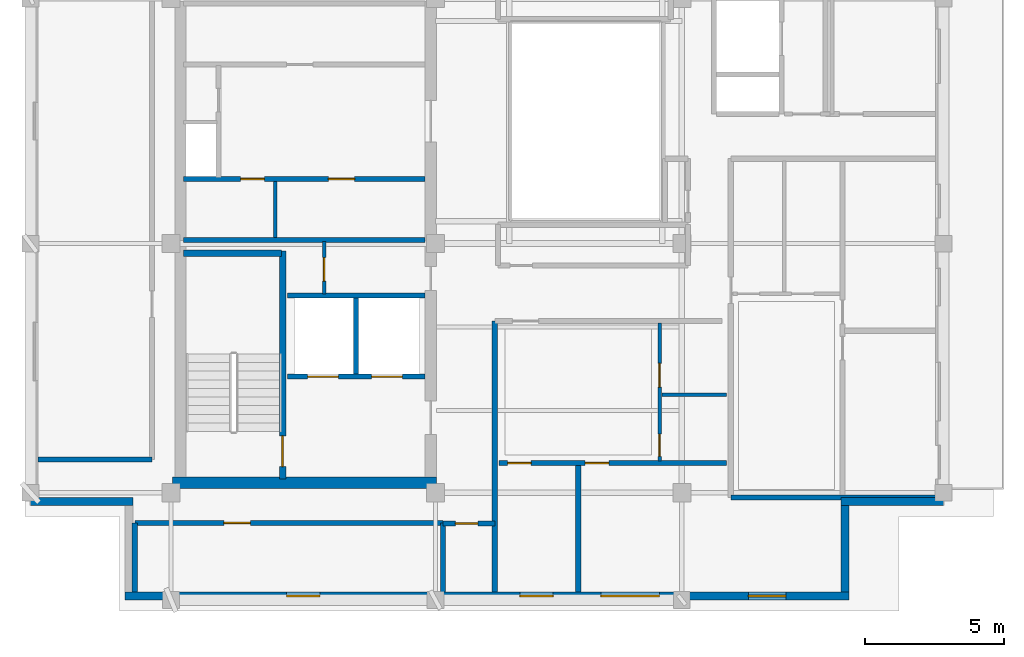
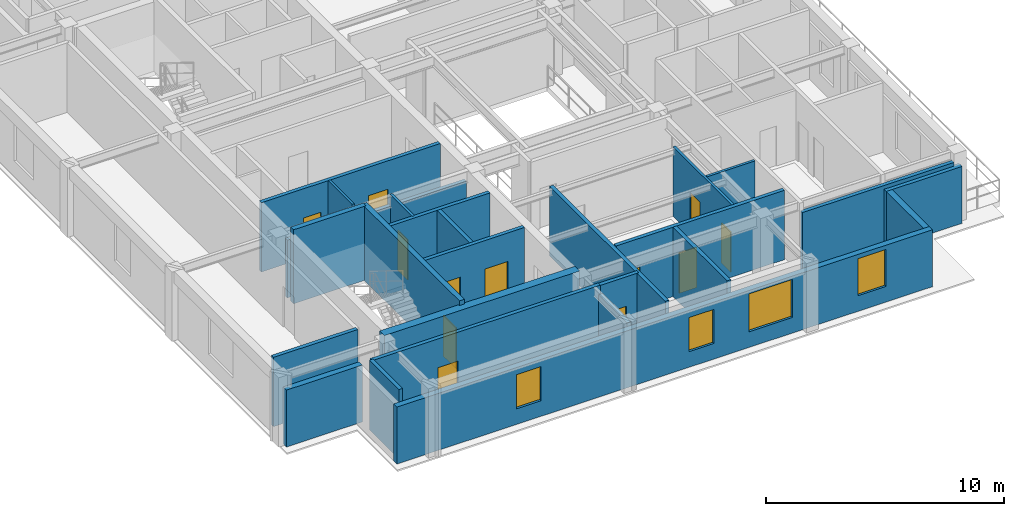
# One storey, part 2 of 9: 25 walls, 12 doors, 4 windows, 16 openings.
"""IFC4 building model written with IfcOpenShell, lengths in metres."""

from ifc_helpers import new_model, si_unit, direction, frame, frame_2d, origin, place, context, subcontext, project, spatial, rectangle, extrude, material, layer, layer_set, type_object, element, fill, save


model = new_model("IFC4")

# Units and contexts
model_context = context("Model", 3, precision=1e-05, world=origin(), true_north=direction((0.0, 1.0)))
body_context = subcontext(model_context, "Body", "Model", "MODEL_VIEW")
ifc_project = project(units=[si_unit("LENGTHUNIT", "METRE"), si_unit("AREAUNIT", "SQUARE_METRE"), si_unit("VOLUMEUNIT", "CUBIC_METRE"), si_unit("PLANEANGLEUNIT", "RADIAN"), si_unit("MASSUNIT", "GRAM", prefix="KILO")], contexts=[model_context])

# Site, building, storey
site_placement = place(None, origin())
site = spatial("IfcSite", under=ifc_project, at=site_placement, CompositionType="ELEMENT")
building_placement = place(site_placement, origin())
building = spatial("IfcBuilding", under=site, at=building_placement, Name="Kundavana Baori Tower", CompositionType="ELEMENT")
storey_placement = place(building_placement, frame((0.0, 0.0, 335.300048828125)))
storey = spatial("IfcBuildingStorey", under=building, at=storey_placement, Name="L83", CompositionType="ELEMENT", Elevation=335.300048828125)

# Wall
ifc_material_1 = material(Name="Concrete C50/60", Category="concrete")
ifc_layer_1 = layer(ifc_material_1, 0.39990234375, Name="WL-CORE-400")
ifc_layer_set_1 = layer_set([ifc_layer_1], Name="Concrete C50/60")
wall_type_1 = type_object("IfcWallType", Name="WL-CORE-400", PredefinedType="SHEAR", material=ifc_layer_set_1)
wall_1_placement = place(storey_placement, frame((15.5, 15.610107421875, 0.0), z_axis=(0.0, 0.0, 1.0), x_axis=(1.0, 0.0, 0.0)))
element("IfcWall", 1, at=wall_1_placement, inside=storey, type_object=wall_type_1, Name="L83 Offset Core South Shear Wall", PredefinedType="SHEAR", context=body_context, shape_type="SweptSolid", body=[
    extrude(rectangle(XDim=9.47998046875, YDim=0.39990234375, at=frame_2d((4.739990234375, 0.0))), origin(), (0.0, 0.0, 1.0), 3.56005859375),
])

# Wall, opening, door
wall_2_placement = place(storey_placement, frame((19.4599609375, 15.739990234375, 0.0), z_axis=(0.0, 0.0, 1.0), x_axis=(0.0, 1.0, 0.0)))
wall_2 = element("IfcWall", 2, at=wall_2_placement, inside=storey, type_object=wall_type_1, Name="WL-L83-ST1-E", PredefinedType="SHEAR", context=body_context, shape_type="SweptSolid", body=[
    extrude(rectangle(XDim=8.199951171875, YDim=0.239990234375, at=frame_2d((4.10009765625, 0.0))), origin(), (0.0, 0.0, 1.0), 3.800048828125),
])
opening_1_placement = place(wall_2_placement, frame((0.449951171875, 0.0, 0.0)))
opening_1 = element("IfcOpeningElement", 3, at=opening_1_placement, cuts=wall_2, Name="Opening FD-110", PredefinedType="OPENING", context=body_context, shape_type="SweptSolid", body=[
    extrude(rectangle(XDim=1.10009765625, YDim=2.10009765625, at=frame_2d((0.550048828125, 1.050048828125))), frame((0.0, 0.1298828125, 0.0), z_axis=(0.0, -1.0, 0.0), x_axis=(1.0, 0.0, 0.0)), (0.0, 0.0, 1.0), 0.260009765625),
])
ifc_material_2 = material(Name="Galvanised Steel Fire-Rated Door Leaf", Category="steel")
door_type_1 = type_object("IfcDoorType", Name="DR-FD120-1100", OperationType="NOTDEFINED", PredefinedType="DOOR", material=ifc_material_2)
door_1_placement = place(opening_1_placement, origin())
door_1 = element("IfcDoor", 4, at=door_1_placement, inside=storey, type_object=door_type_1, Name="DR-L83-ST1", OperationType="SINGLE_SWING_LEFT", OverallHeight=2.10009765625, OverallWidth=1.10009765625, PredefinedType="DOOR", context=body_context, shape_type="SweptSolid", body=[
    extrude(rectangle(XDim=1.10009765625, YDim=2.10009765625, at=frame_2d((0.550048828125, 1.050048828125))), frame((0.0, 0.02490234375, 0.0), z_axis=(0.0, -1.0, 0.0), x_axis=(1.0, 0.0, 0.0)), (0.0, 0.0, 1.0), 0.050048828125),
])
fill(opening_1, door_1)

# Wall
wall_3_placement = place(storey_placement, frame((15.89990234375, 23.860107421875, 0.0), z_axis=(0.0, 0.0, 1.0), x_axis=(1.0, 0.0, 0.0)))
element("IfcWall", 5, at=wall_3_placement, inside=storey, type_object=wall_type_1, Name="WL-L83-ST1-N", PredefinedType="SHEAR", context=body_context, shape_type="SweptSolid", body=[
    extrude(rectangle(XDim=3.52001953125, YDim=0.239990234375, at=frame_2d((1.760009765625, 0.0))), origin(), (0.0, 0.0, 1.0), 3.800048828125),
])

# Wall, openings, windows
ifc_material_3 = material(Name="Red-Buff Dholpur Sandstone Cladding on Concrete C40/50", Category="masonry")
ifc_layer_2 = layer(ifc_material_3, 0.280029296875, Name="WL-EXT-SAND-280")
ifc_layer_set_2 = layer_set([ifc_layer_2], Name="Red-Buff Dholpur Sandstone Cladding on Concrete C40/50")
wall_type_2 = type_object("IfcWallType", Name="WL-EXT-SAND-280", PredefinedType="STANDARD", material=ifc_layer_set_2)
wall_4_placement = place(storey_placement, frame((13.800048828125, 11.5400390625, 0.0), z_axis=(0.0, 0.0, 1.0), x_axis=(1.0, 0.0, 0.0)))
wall_4 = element("IfcWall", 6, at=wall_4_placement, inside=storey, type_object=wall_type_2, Name="L83 Exterior Insulated Facade Wall 01", PredefinedType="STANDARD", context=body_context, shape_type="SweptSolid", body=[
    extrude(rectangle(XDim=26.0, YDim=0.280029296875, at=frame_2d((13.0, 0.0))), origin(), (0.0, 0.0, 1.0), 2.919921875),
])
opening_2_placement = place(wall_4_placement, frame((5.800048828125, 0.0, 0.800048828125)))
opening_2 = element("IfcOpeningElement", 7, at=opening_2_placement, cuts=wall_4, Name="Opening W-03", PredefinedType="OPENING", context=body_context, shape_type="SweptSolid", body=[
    extrude(rectangle(XDim=1.199951171875, YDim=1.75, at=frame_2d((0.60009765625, 0.875))), frame((0.0, 0.14990234375, 0.0), z_axis=(0.0, -1.0, 0.0), x_axis=(1.0, 0.0, 0.0)), (0.0, 0.0, 1.0), 0.300048828125),
])
opening_3_placement = place(wall_4_placement, frame((14.179931640625, 0.0, 0.800048828125)))
opening_3 = element("IfcOpeningElement", 8, at=opening_3_placement, cuts=wall_4, Name="Opening W-03", PredefinedType="OPENING", context=body_context, shape_type="SweptSolid", body=[
    extrude(rectangle(XDim=1.199951171875, YDim=1.75, at=frame_2d((0.60009765625, 0.875))), frame((0.0, 0.14990234375, 0.0), z_axis=(0.0, -1.0, 0.0), x_axis=(1.0, 0.0, 0.0)), (0.0, 0.0, 1.0), 0.300048828125),
])
opening_4_placement = place(wall_4_placement, frame((17.090087890625, 0.0, 0.800048828125)))
opening_4 = element("IfcOpeningElement", 9, at=opening_4_placement, cuts=wall_4, Name="Opening W-05", PredefinedType="OPENING", context=body_context, shape_type="SweptSolid", body=[
    extrude(rectangle(XDim=2.10009765625, YDim=1.949951171875, at=frame_2d((1.050048828125, 0.97509765625))), frame((0.0, 0.14990234375, 0.0), z_axis=(0.0, -1.0, 0.0), x_axis=(1.0, 0.0, 0.0)), (0.0, 0.0, 1.0), 0.300048828125),
])
opening_5_placement = place(wall_4_placement, frame((22.389892578125, 0.0, 0.800048828125)))
opening_5 = element("IfcOpeningElement", 10, at=opening_5_placement, cuts=wall_4, Name="Opening W-07", PredefinedType="OPENING", context=body_context, shape_type="SweptSolid", body=[
    extrude(rectangle(XDim=1.35009765625, YDim=1.89990234375, at=frame_2d((0.675048828125, 0.949951171875))), frame((0.0, 0.14990234375, 0.0), z_axis=(0.0, -1.0, 0.0), x_axis=(1.0, 0.0, 0.0)), (0.0, 0.0, 1.0), 0.300048828125),
])
ifc_material_4 = material(Name="Double-Glazed Solar-Control Low-E Insulated Glass", Category="glass")
window_type_1 = type_object("IfcWindowType", Name="WIN-LOG-1200x1750", PartitioningType="SINGLE_PANEL", PredefinedType="WINDOW", material=ifc_material_4)
window_1_placement = place(opening_2_placement, origin())
window_1 = element("IfcWindow", 11, at=window_1_placement, inside=storey, type_object=window_type_1, Name="L83 Recessed Loggia Window S-1", OverallHeight=1.75, OverallWidth=1.199951171875, PartitioningType="SINGLE_PANEL", PredefinedType="WINDOW", context=body_context, shape_type="SweptSolid", body=[
    extrude(rectangle(XDim=1.199951171875, YDim=1.75, at=frame_2d((0.60009765625, 0.875))), frame((0.0, 0.030029296875, 0.0), z_axis=(0.0, -1.0, 0.0), x_axis=(1.0, 0.0, 0.0)), (0.0, 0.0, 1.0), 0.06005859375),
])
fill(opening_2, window_1)
window_2_placement = place(opening_3_placement, origin())
window_2 = element("IfcWindow", 12, at=window_2_placement, inside=storey, type_object=window_type_1, Name="L83 Recessed Loggia Window S-2", OverallHeight=1.75, OverallWidth=1.199951171875, PartitioningType="SINGLE_PANEL", PredefinedType="WINDOW", context=body_context, shape_type="SweptSolid", body=[
    extrude(rectangle(XDim=1.199951171875, YDim=1.75, at=frame_2d((0.60009765625, 0.875))), frame((0.0, 0.030029296875, 0.0), z_axis=(0.0, -1.0, 0.0), x_axis=(1.0, 0.0, 0.0)), (0.0, 0.0, 1.0), 0.06005859375),
])
fill(opening_3, window_2)
ifc_material_5 = material(Name="Double-Glazed Solar-Control Low-E Insulated Glass", Category="glass")
window_type_2 = type_object("IfcWindowType", Name="WIN-LOG-1350x1900", PartitioningType="SINGLE_PANEL", PredefinedType="WINDOW", material=ifc_material_5)
window_3_placement = place(opening_5_placement, origin())
window_3 = element("IfcWindow", 13, at=window_3_placement, inside=storey, type_object=window_type_2, Name="L83 Recessed Loggia Window S-4", OverallHeight=1.89990234375, OverallWidth=1.35009765625, PartitioningType="SINGLE_PANEL", PredefinedType="WINDOW", context=body_context, shape_type="SweptSolid", body=[
    extrude(rectangle(XDim=1.35009765625, YDim=1.89990234375, at=frame_2d((0.675048828125, 0.949951171875))), frame((0.0, 0.030029296875, 0.0), z_axis=(0.0, -1.0, 0.0), x_axis=(1.0, 0.0, 0.0)), (0.0, 0.0, 1.0), 0.06005859375),
])
fill(opening_5, window_3)
ifc_material_6 = material(Name="Double-Glazed Solar-Control Low-E Insulated Glass", Category="glass")
window_type_3 = type_object("IfcWindowType", Name="WIN-LOG-2100x1950", PartitioningType="SINGLE_PANEL", PredefinedType="WINDOW", material=ifc_material_6)
window_4_placement = place(opening_4_placement, origin())
window_4 = element("IfcWindow", 14, at=window_4_placement, inside=storey, type_object=window_type_3, Name="L83 Recessed Loggia Window S-3", OverallHeight=1.949951171875, OverallWidth=2.10009765625, PartitioningType="SINGLE_PANEL", PredefinedType="WINDOW", context=body_context, shape_type="SweptSolid", body=[
    extrude(rectangle(XDim=2.10009765625, YDim=1.949951171875, at=frame_2d((1.050048828125, 0.97509765625))), frame((0.0, 0.030029296875, 0.0), z_axis=(0.0, -1.0, 0.0), x_axis=(1.0, 0.0, 0.0)), (0.0, 0.0, 1.0), 0.06005859375),
])
fill(opening_4, window_4)

# Walls
wall_5_placement = place(storey_placement, frame((39.659912109375, 11.679931640625, 0.0), z_axis=(0.0, 0.0, 1.0), x_axis=(0.0, 1.0, 0.0)))
element("IfcWall", 15, at=wall_5_placement, inside=storey, type_object=wall_type_2, Name="L83 Exterior Insulated Facade Wall 02", PredefinedType="STANDARD", context=body_context, shape_type="SweptSolid", body=[
    extrude(rectangle(XDim=3.1201171875, YDim=0.280029296875, at=frame_2d((1.56005859375, 0.0))), origin(), (0.0, 0.0, 1.0), 2.919921875),
])
wall_6_placement = place(storey_placement, frame((39.52001953125, 14.93994140625, 0.0), z_axis=(0.0, 0.0, 1.0), x_axis=(1.0, 0.0, 0.0)))
element("IfcWall", 16, at=wall_6_placement, inside=storey, type_object=wall_type_2, Name="L83 Exterior Insulated Facade Wall 03", PredefinedType="STANDARD", context=body_context, shape_type="SweptSolid", body=[
    extrude(rectangle(XDim=3.679931640625, YDim=0.280029296875, at=frame_2d((1.83984375, 0.0))), origin(), (0.0, 0.0, 1.0), 2.919921875),
])
wall_7_placement = place(storey_placement, frame((10.39990234375, 14.93994140625, 0.0), z_axis=(0.0, 0.0, 1.0), x_axis=(1.0, 0.0, 0.0)))
element("IfcWall", 17, at=wall_7_placement, inside=storey, type_object=wall_type_2, Name="L83 Exterior Insulated Facade Wall 11", PredefinedType="STANDARD", context=body_context, shape_type="SweptSolid", body=[
    extrude(rectangle(XDim=3.68017578125, YDim=0.280029296875, at=frame_2d((1.840087890625, 0.0))), origin(), (0.0, 0.0, 1.0), 2.919921875),
])

# Wall, opening, door
ifc_material_7 = material(Name="Acoustic Gypsum Plasterboard on Galvanised Steel Studs", Category="steel")
ifc_layer_3 = layer(ifc_material_7, 0.1201171875, Name="WL-PART-120")
ifc_layer_set_3 = layer_set([ifc_layer_3], Name="Acoustic Gypsum Plasterboard on Galvanised Steel Studs")
wall_type_3 = type_object("IfcWallType", Name="WL-PART-120", PredefinedType="PARTITIONING", material=ifc_layer_set_3)
wall_8_placement = place(storey_placement, frame((20.949951171875, 22.39990234375, 0.0), z_axis=(0.0, 0.0, 1.0), x_axis=(0.0, 1.0, 0.0)))
wall_8 = element("IfcWall", 18, at=wall_8_placement, inside=storey, type_object=wall_type_3, Name="WL-L83-CSMK-D2", PredefinedType="PARTITIONING", context=body_context, shape_type="SweptSolid", body=[
    extrude(rectangle(XDim=1.880126953125, YDim=0.1201171875, at=frame_2d((0.93994140625, 0.0))), origin(), (0.0, 0.0, 1.0), 3.56005859375),
])
opening_6_placement = place(wall_8_placement, frame((0.449951171875, 0.0, 0.0)))
opening_6 = element("IfcOpeningElement", 19, at=opening_6_placement, cuts=wall_8, Name="Opening FD-085", PredefinedType="OPENING", context=body_context, shape_type="SweptSolid", body=[
    extrude(rectangle(XDim=0.85009765625, YDim=2.06005859375, at=frame_2d((0.425048828125, 1.030029296875))), frame((0.0, 0.070068359375, 0.0), z_axis=(0.0, -1.0, 0.0), x_axis=(1.0, 0.0, 0.0)), (0.0, 0.0, 1.0), 0.14013671875),
])
ifc_material_8 = material(Name="Galvanised Steel Fire-Rated Door Leaf", Category="steel")
door_type_2 = type_object("IfcDoorType", Name="DR-FD60-850", OperationType="NOTDEFINED", PredefinedType="DOOR", material=ifc_material_8)
door_2_placement = place(opening_6_placement, origin())
door_2 = element("IfcDoor", 20, at=door_2_placement, inside=storey, type_object=door_type_2, Name="DR-L83-CSMK1", OperationType="SINGLE_SWING_RIGHT", OverallHeight=2.06005859375, OverallWidth=0.85009765625, PredefinedType="DOOR", context=body_context, shape_type="SweptSolid", body=[
    extrude(rectangle(XDim=0.85009765625, YDim=2.06005859375, at=frame_2d((0.425048828125, 1.030029296875))), frame((0.0, 0.02490234375, 0.0), z_axis=(0.0, -1.0, 0.0), x_axis=(1.0, 0.0, 0.0)), (0.0, 0.0, 1.0), 0.050048828125),
])
fill(opening_6, door_2)

# Walls
wall_9_placement = place(storey_placement, frame((19.199951171875, 24.419921875, 0.0), z_axis=(0.0, 0.0, 1.0), x_axis=(0.0, 1.0, 0.0)))
element("IfcWall", 21, at=wall_9_placement, inside=storey, type_object=wall_type_3, Name="WL-L83-FRLOW-DIV", PredefinedType="PARTITIONING", context=body_context, shape_type="SweptSolid", body=[
    extrude(rectangle(XDim=2.02001953125, YDim=0.1201171875, at=frame_2d((1.010009765625, 0.0))), origin(), (0.0, 0.0, 1.0), 3.56005859375),
])
ifc_material_9 = material(Name="Autoclaved Aerated Concrete Blockwork Masonry", Category="masonry")
ifc_layer_4 = layer(ifc_material_9, 0.18505859375, Name="WL-PART-180")
ifc_layer_set_4 = layer_set([ifc_layer_4], Name="Autoclaved Aerated Concrete Blockwork Masonry")
wall_type_4 = type_object("IfcWallType", Name="WL-PART-180", PredefinedType="SOLIDWALL", material=ifc_layer_set_4)
wall_10_placement = place(storey_placement, frame((27.080078125, 11.679931640625, 0.0), z_axis=(0.0, 0.0, 1.0), x_axis=(0.0, 1.0, 0.0)))
element("IfcWall", 22, at=wall_10_placement, inside=storey, type_object=wall_type_4, Name="WL-L83-RSW", PredefinedType="SOLIDWALL", context=body_context, shape_type="SweptSolid", body=[
    extrude(rectangle(XDim=9.739990234375, YDim=0.18505859375, at=frame_2d((4.8701171875, 0.0))), origin(), (0.0, 0.0, 1.0), 3.56005859375),
])

# Wall, opening, door
wall_11_placement = place(storey_placement, frame((14.14990234375, 14.169921875, 0.0), z_axis=(0.0, 0.0, 1.0), x_axis=(1.0, 0.0, 0.0)))
wall_11 = element("IfcWall", 23, at=wall_11_placement, inside=storey, type_object=wall_type_4, Name="WL-L83-RSC", PredefinedType="SOLIDWALL", context=body_context, shape_type="SweptSolid", body=[
    extrude(rectangle(XDim=11.070068359375, YDim=0.18505859375, at=frame_2d((5.53515625, 0.0))), origin(), (0.0, 0.0, 1.0), 3.56005859375),
])
opening_7_placement = place(wall_11_placement, frame((3.199951171875, 0.0, 0.0)))
opening_7 = element("IfcOpeningElement", 24, at=opening_7_placement, cuts=wall_11, Name="Opening ID-095", PredefinedType="OPENING", context=body_context, shape_type="SweptSolid", body=[
    extrude(rectangle(XDim=0.949951171875, YDim=2.080078125, at=frame_2d((0.47509765625, 1.0400390625))), frame((0.0, 0.1025390625, 0.0), z_axis=(0.0, -1.0, 0.0), x_axis=(1.0, 0.0, 0.0)), (0.0, 0.0, 1.0), 0.205078125),
])
ifc_material_10 = material(Name="Engineered Teak Solid-Core Timber Veneer", Category="wood")
door_type_3 = type_object("IfcDoorType", Name="DR-INT-950", OperationType="NOTDEFINED", PredefinedType="DOOR", material=ifc_material_10)
door_3_placement = place(opening_7_placement, frame((0.949951171875, 0.0, 0.0), z_axis=(0.0, 0.0, 1.0), x_axis=(-1.0, 0.0, 0.0)))
door_3 = element("IfcDoor", 25, at=door_3_placement, inside=storey, type_object=door_type_3, Name="DR-L83-RMSW", OperationType="SINGLE_SWING_LEFT", OverallHeight=2.080078125, OverallWidth=0.949951171875, PredefinedType="DOOR", context=body_context, shape_type="SweptSolid", body=[
    extrude(rectangle(XDim=0.949951171875, YDim=2.080078125, at=frame_2d((0.47509765625, 1.0400390625))), frame((0.0, 0.02490234375, 0.0), z_axis=(0.0, -1.0, 0.0), x_axis=(1.0, 0.0, 0.0)), (0.0, 0.0, 1.0), 0.050048828125),
])
fill(opening_7, door_3)

# Walls
wall_12_placement = place(storey_placement, frame((14.14990234375, 11.679931640625, 0.0), z_axis=(0.0, 0.0, 1.0), x_axis=(0.0, 1.0, 0.0)))
element("IfcWall", 26, at=wall_12_placement, inside=storey, type_object=wall_type_4, Name="WL-L83-RSCW", PredefinedType="SOLIDWALL", context=body_context, shape_type="SweptSolid", body=[
    extrude(rectangle(XDim=2.489990234375, YDim=0.18505859375, at=frame_2d((1.2451171875, 0.0))), origin(), (0.0, 0.0, 1.0), 3.56005859375),
])
wall_13_placement = place(storey_placement, frame((25.219970703125, 11.679931640625, 0.0), z_axis=(0.0, 0.0, 1.0), x_axis=(0.0, 1.0, 0.0)))
element("IfcWall", 27, at=wall_13_placement, inside=storey, type_object=wall_type_4, Name="WL-L83-RSCE", PredefinedType="SOLIDWALL", context=body_context, shape_type="SweptSolid", body=[
    extrude(rectangle(XDim=2.489990234375, YDim=0.18505859375, at=frame_2d((1.2451171875, 0.0))), origin(), (0.0, 0.0, 1.0), 3.10986328125),
])
wall_14_placement = place(storey_placement, frame((10.679931640625, 16.449951171875, 0.0), z_axis=(0.0, 0.0, 1.0), x_axis=(1.0, 0.0, 0.0)))
element("IfcWall", 28, at=wall_14_placement, inside=storey, type_object=wall_type_4, Name="WL-L83-RWS", PredefinedType="SOLIDWALL", context=body_context, shape_type="SweptSolid", body=[
    extrude(rectangle(XDim=4.090087890625, YDim=0.18505859375, at=frame_2d((2.044921875, 0.0))), origin(), (0.0, 0.0, 1.0), 3.56005859375),
])

# Wall, openings, doors
wall_15_placement = place(storey_placement, frame((27.239990234375, 16.31689453125, 0.0), z_axis=(0.0, 0.0, 1.0), x_axis=(1.0, 0.0, 0.0)))
wall_15 = element("IfcWall", 29, at=wall_15_placement, inside=storey, type_object=wall_type_4, Name="WL-L83-S1-HZ", PredefinedType="SOLIDWALL", context=body_context, shape_type="SweptSolid", body=[
    extrude(rectangle(XDim=8.159912109375, YDim=0.18505859375, at=frame_2d((4.080078125, 0.0))), origin(), (0.0, 0.0, 1.0), 3.56005859375),
])
opening_8_placement = place(wall_15_placement, frame((0.300048828125, 0.0, 0.0)))
opening_8 = element("IfcOpeningElement", 30, at=opening_8_placement, cuts=wall_15, Name="Opening ID-085", PredefinedType="OPENING", context=body_context, shape_type="SweptSolid", body=[
    extrude(rectangle(XDim=0.85009765625, YDim=2.080078125, at=frame_2d((0.425048828125, 1.0400390625))), frame((0.0, 0.1025390625, 0.0), z_axis=(0.0, -1.0, 0.0), x_axis=(1.0, 0.0, 0.0)), (0.0, 0.0, 1.0), 0.205078125),
])
opening_9_placement = place(wall_15_placement, frame((3.090087890625, 0.0, 0.0)))
opening_9 = element("IfcOpeningElement", 31, at=opening_9_placement, cuts=wall_15, Name="Opening ID-085", PredefinedType="OPENING", context=body_context, shape_type="SweptSolid", body=[
    extrude(rectangle(XDim=0.85009765625, YDim=2.080078125, at=frame_2d((0.425048828125, 1.0400390625))), frame((0.0, 0.1025390625, 0.0), z_axis=(0.0, -1.0, 0.0), x_axis=(1.0, 0.0, 0.0)), (0.0, 0.0, 1.0), 0.205078125),
])
ifc_material_11 = material(Name="Engineered Teak Solid-Core Timber Veneer", Category="wood")
door_type_4 = type_object("IfcDoorType", Name="DR-INT-850", OperationType="NOTDEFINED", PredefinedType="DOOR", material=ifc_material_11)
door_4_placement = place(opening_8_placement, frame((0.85009765625, 0.0, 0.0), z_axis=(0.0, 0.0, 1.0), x_axis=(-1.0, 0.0, 0.0)))
door_4 = element("IfcDoor", 32, at=door_4_placement, inside=storey, type_object=door_type_4, Name="DR-L83-S1-B1", OperationType="SINGLE_SWING_LEFT", OverallHeight=2.080078125, OverallWidth=0.85009765625, PredefinedType="DOOR", context=body_context, shape_type="SweptSolid", body=[
    extrude(rectangle(XDim=0.85009765625, YDim=2.080078125, at=frame_2d((0.425048828125, 1.0400390625))), frame((0.0, 0.02490234375, 0.0), z_axis=(0.0, -1.0, 0.0), x_axis=(1.0, 0.0, 0.0)), (0.0, 0.0, 1.0), 0.050048828125),
])
fill(opening_8, door_4)
door_5_placement = place(opening_9_placement, frame((0.85009765625, 0.0, 0.0), z_axis=(0.0, 0.0, 1.0), x_axis=(-1.0, 0.0, 0.0)))
door_5 = element("IfcDoor", 33, at=door_5_placement, inside=storey, type_object=door_type_4, Name="DR-L83-S1-B2", OperationType="SINGLE_SWING_RIGHT", OverallHeight=2.080078125, OverallWidth=0.85009765625, PredefinedType="DOOR", context=body_context, shape_type="SweptSolid", body=[
    extrude(rectangle(XDim=0.85009765625, YDim=2.080078125, at=frame_2d((0.425048828125, 1.0400390625))), frame((0.0, 0.02490234375, 0.0), z_axis=(0.0, -1.0, 0.0), x_axis=(1.0, 0.0, 0.0)), (0.0, 0.0, 1.0), 0.050048828125),
])
fill(opening_9, door_5)

# Walls
wall_16_placement = place(storey_placement, frame((30.080078125, 11.679931640625, 0.0), z_axis=(0.0, 0.0, 1.0), x_axis=(0.0, 1.0, 0.0)))
element("IfcWall", 34, at=wall_16_placement, inside=storey, type_object=wall_type_4, Name="WL-L83-S1-BDV", PredefinedType="SOLIDWALL", context=body_context, shape_type="SweptSolid", body=[
    extrude(rectangle(XDim=4.55712890625, YDim=0.18505859375, at=frame_2d((2.278564453125, 0.0))), origin(), (0.0, 0.0, 1.0), 3.56005859375),
])
wall_17_placement = place(storey_placement, frame((35.56005859375, 15.080078125, 0.0), z_axis=(0.0, 0.0, 1.0), x_axis=(1.0, 0.0, 0.0)))
element("IfcWall", 35, at=wall_17_placement, inside=storey, type_object=wall_type_4, Name="WL-L83-CSES", PredefinedType="SOLIDWALL", context=body_context, shape_type="SweptSolid", body=[
    extrude(rectangle(XDim=7.35986328125, YDim=0.18505859375, at=frame_2d((3.679931640625, 0.0))), origin(), (0.0, 0.0, 1.0), 3.10986328125),
])

# Wall, opening, door
wall_18_placement = place(storey_placement, frame((25.219970703125, 14.14990234375, 0.0), z_axis=(0.0, 0.0, 1.0), x_axis=(1.0, 0.0, 0.0)))
wall_18 = element("IfcWall", 36, at=wall_18_placement, inside=storey, type_object=wall_type_4, Name="WL-L83-CSCN", PredefinedType="SOLIDWALL", context=body_context, shape_type="SweptSolid", body=[
    extrude(rectangle(XDim=1.860107421875, YDim=0.18505859375, at=frame_2d((0.93017578125, 0.0))), origin(), (0.0, 0.0, 1.0), 3.56005859375),
])
opening_10_placement = place(wall_18_placement, frame((0.449951171875, 0.0, 0.0)))
opening_10 = element("IfcOpeningElement", 37, at=opening_10_placement, cuts=wall_18, Name="Opening WD-080", PredefinedType="OPENING", context=body_context, shape_type="SweptSolid", body=[
    extrude(rectangle(XDim=0.800048828125, YDim=2.050048828125, at=frame_2d((0.39990234375, 1.02490234375))), frame((0.0, 0.1025390625, 0.0), z_axis=(0.0, -1.0, 0.0), x_axis=(1.0, 0.0, 0.0)), (0.0, 0.0, 1.0), 0.205078125),
])
ifc_material_12 = material(Name="Engineered Teak Solid-Core Timber Veneer", Category="wood")
door_type_5 = type_object("IfcDoorType", Name="DR-WET-800", OperationType="NOTDEFINED", PredefinedType="DOOR", material=ifc_material_12)
door_6_placement = place(opening_10_placement, origin())
door_6 = element("IfcDoor", 38, at=door_6_placement, inside=storey, type_object=door_type_5, Name="DR-L83-CSCS", OperationType="SINGLE_SWING_LEFT", OverallHeight=2.050048828125, OverallWidth=0.800048828125, PredefinedType="DOOR", context=body_context, shape_type="SweptSolid", body=[
    extrude(rectangle(XDim=0.800048828125, YDim=2.050048828125, at=frame_2d((0.39990234375, 1.02490234375))), frame((0.0, 0.02490234375, 0.0), z_axis=(0.0, -1.0, 0.0), x_axis=(1.0, 0.0, 0.0)), (0.0, 0.0, 1.0), 0.050048828125),
])
fill(opening_10, door_6)

# Wall, openings, doors
ifc_material_13 = material(Name="Autoclaved Aerated Concrete Blockwork Masonry", Category="masonry")
ifc_layer_5 = layer(ifc_material_13, 0.179931640625, Name="WL-SHAFT-180")
ifc_layer_set_5 = layer_set([ifc_layer_5], Name="Autoclaved Aerated Concrete Blockwork Masonry")
wall_type_5 = type_object("IfcWallType", Name="WL-SHAFT-180", PredefinedType="SOLIDWALL", material=ifc_layer_set_5)
wall_19_placement = place(storey_placement, frame((19.639892578125, 19.419921875, 0.0), z_axis=(0.0, 0.0, 1.0), x_axis=(1.0, 0.0, 0.0)))
wall_19 = element("IfcWall", 39, at=wall_19_placement, inside=storey, type_object=wall_type_5, Name="WL-L83-FFL-S", PredefinedType="SOLIDWALL", context=body_context, shape_type="SweptSolid", body=[
    extrude(rectangle(XDim=4.940185546875, YDim=0.179931640625, at=frame_2d((2.47021484375, 0.0))), origin(), (0.0, 0.0, 1.0), 3.56005859375),
])
opening_11_placement = place(wall_19_placement, frame((0.719970703125, 0.0, 0.0)))
opening_11 = element("IfcOpeningElement", 40, at=opening_11_placement, cuts=wall_19, Name="Opening LD-110", PredefinedType="OPENING", context=body_context, shape_type="SweptSolid", body=[
    extrude(rectangle(XDim=1.10009765625, YDim=2.10009765625, at=frame_2d((0.550048828125, 1.050048828125))), frame((0.0, 0.10009765625, 0.0), z_axis=(0.0, -1.0, 0.0), x_axis=(1.0, 0.0, 0.0)), (0.0, 0.0, 1.0), 0.199951171875),
])
opening_12_placement = place(wall_19_placement, frame((3.02001953125, 0.0, 0.0)))
opening_12 = element("IfcOpeningElement", 41, at=opening_12_placement, cuts=wall_19, Name="Opening LD-110", PredefinedType="OPENING", context=body_context, shape_type="SweptSolid", body=[
    extrude(rectangle(XDim=1.10009765625, YDim=2.10009765625, at=frame_2d((0.550048828125, 1.050048828125))), frame((0.0, 0.10009765625, 0.0), z_axis=(0.0, -1.0, 0.0), x_axis=(1.0, 0.0, 0.0)), (0.0, 0.0, 1.0), 0.199951171875),
])
ifc_material_14 = material(Name="Galvanised Steel Fire-Rated Door Leaf", Category="steel")
door_type_6 = type_object("IfcDoorType", Name="DR-SLIDE-LD1100", OperationType="NOTDEFINED", PredefinedType="DOOR", material=ifc_material_14)
door_7_placement = place(opening_11_placement, origin())
door_7 = element("IfcDoor", 42, at=door_7_placement, inside=storey, type_object=door_type_6, Name="DR-L83-LD-FFL-1", OperationType="DOUBLE_DOOR_SLIDING", OverallHeight=2.10009765625, OverallWidth=1.10009765625, PredefinedType="DOOR", context=body_context, shape_type="SweptSolid", body=[
    extrude(rectangle(XDim=1.10009765625, YDim=2.10009765625, at=frame_2d((0.550048828125, 1.050048828125))), frame((0.0, 0.02490234375, 0.0), z_axis=(0.0, -1.0, 0.0), x_axis=(1.0, 0.0, 0.0)), (0.0, 0.0, 1.0), 0.050048828125),
])
fill(opening_11, door_7)
door_8_placement = place(opening_12_placement, origin())
door_8 = element("IfcDoor", 43, at=door_8_placement, inside=storey, type_object=door_type_6, Name="DR-L83-LD-FFL-2", OperationType="DOUBLE_DOOR_SLIDING", OverallHeight=2.10009765625, OverallWidth=1.10009765625, PredefinedType="DOOR", context=body_context, shape_type="SweptSolid", body=[
    extrude(rectangle(XDim=1.10009765625, YDim=2.10009765625, at=frame_2d((0.550048828125, 1.050048828125))), frame((0.0, 0.02490234375, 0.0), z_axis=(0.0, -1.0, 0.0), x_axis=(1.0, 0.0, 0.0)), (0.0, 0.0, 1.0), 0.050048828125),
])
fill(opening_12, door_8)

# Walls
wall_20_placement = place(storey_placement, frame((22.10009765625, 19.510009765625, 0.0), z_axis=(0.0, 0.0, 1.0), x_axis=(0.0, 1.0, 0.0)))
element("IfcWall", 44, at=wall_20_placement, inside=storey, type_object=wall_type_5, Name="WL-L83-FFL-MID", PredefinedType="SOLIDWALL", context=body_context, shape_type="SweptSolid", body=[
    extrude(rectangle(XDim=2.739990234375, YDim=0.179931640625, at=frame_2d((1.3701171875, 0.0))), origin(), (0.0, 0.0, 1.0), 3.56005859375),
])
wall_21_placement = place(storey_placement, frame((19.639892578125, 22.340087890625, 0.0), z_axis=(0.0, 0.0, 1.0), x_axis=(1.0, 0.0, 0.0)))
element("IfcWall", 45, at=wall_21_placement, inside=storey, type_object=wall_type_5, Name="WL-L83-FFL-N", PredefinedType="SOLIDWALL", context=body_context, shape_type="SweptSolid", body=[
    extrude(rectangle(XDim=4.940185546875, YDim=0.179931640625, at=frame_2d((2.47021484375, 0.0))), origin(), (0.0, 0.0, 1.0), 3.56005859375),
])

# Wall, openings, doors
wall_22_placement = place(storey_placement, frame((15.89990234375, 26.52001953125, 0.0), z_axis=(0.0, 0.0, 1.0), x_axis=(1.0, 0.0, 0.0)))
wall_22 = element("IfcWall", 46, at=wall_22_placement, inside=storey, type_object=wall_type_5, Name="WL-L83-LPLOW-N", PredefinedType="SOLIDWALL", context=body_context, shape_type="SweptSolid", body=[
    extrude(rectangle(XDim=8.68017578125, YDim=0.179931640625, at=frame_2d((4.340087890625, 0.0))), origin(), (0.0, 0.0, 1.0), 3.56005859375),
])
opening_13_placement = place(wall_22_placement, frame((2.050048828125, 0.0, 0.0)))
opening_13 = element("IfcOpeningElement", 47, at=opening_13_placement, cuts=wall_22, Name="Opening FD-085", PredefinedType="OPENING", context=body_context, shape_type="SweptSolid", body=[
    extrude(rectangle(XDim=0.85009765625, YDim=2.06005859375, at=frame_2d((0.425048828125, 1.030029296875))), frame((0.0, 0.10009765625, 0.0), z_axis=(0.0, -1.0, 0.0), x_axis=(1.0, 0.0, 0.0)), (0.0, 0.0, 1.0), 0.199951171875),
])
opening_14_placement = place(wall_22_placement, frame((5.199951171875, 0.0, 0.0)))
opening_14 = element("IfcOpeningElement", 48, at=opening_14_placement, cuts=wall_22, Name="Opening FD-095", PredefinedType="OPENING", context=body_context, shape_type="SweptSolid", body=[
    extrude(rectangle(XDim=0.949951171875, YDim=2.10009765625, at=frame_2d((0.47509765625, 1.050048828125))), frame((0.0, 0.10009765625, 0.0), z_axis=(0.0, -1.0, 0.0), x_axis=(1.0, 0.0, 0.0)), (0.0, 0.0, 1.0), 0.199951171875),
])
door_9_placement = place(opening_13_placement, origin())
door_9 = element("IfcDoor", 49, at=door_9_placement, inside=storey, type_object=door_type_2, Name="DR-L83-FRLOW1", OperationType="SINGLE_SWING_LEFT", OverallHeight=2.06005859375, OverallWidth=0.85009765625, PredefinedType="DOOR", context=body_context, shape_type="SweptSolid", body=[
    extrude(rectangle(XDim=0.85009765625, YDim=2.06005859375, at=frame_2d((0.425048828125, 1.030029296875))), frame((0.0, 0.02490234375, 0.0), z_axis=(0.0, -1.0, 0.0), x_axis=(1.0, 0.0, 0.0)), (0.0, 0.0, 1.0), 0.050048828125),
])
fill(opening_13, door_9)
ifc_material_15 = material(Name="Engineered Teak Fire-Rated Timber Door Leaf", Category="wood")
door_type_7 = type_object("IfcDoorType", Name="DR-FD60-950", OperationType="NOTDEFINED", PredefinedType="DOOR", material=ifc_material_15)
door_10_placement = place(opening_14_placement, origin())
door_10 = element("IfcDoor", 50, at=door_10_placement, inside=storey, type_object=door_type_7, Name="DR-L83-FRLOW2", OperationType="SINGLE_SWING_RIGHT", OverallHeight=2.10009765625, OverallWidth=0.949951171875, PredefinedType="DOOR", context=body_context, shape_type="SweptSolid", body=[
    extrude(rectangle(XDim=0.949951171875, YDim=2.10009765625, at=frame_2d((0.47509765625, 1.050048828125))), frame((0.0, 0.02490234375, 0.0), z_axis=(0.0, -1.0, 0.0), x_axis=(1.0, 0.0, 0.0)), (0.0, 0.0, 1.0), 0.050048828125),
])
fill(opening_14, door_10)

# Wall
wall_23_placement = place(storey_placement, frame((15.89990234375, 24.330078125, 0.0), z_axis=(0.0, 0.0, 1.0), x_axis=(1.0, 0.0, 0.0)))
element("IfcWall", 51, at=wall_23_placement, inside=storey, type_object=wall_type_5, Name="WL-L83-LPLOW-S", PredefinedType="SOLIDWALL", context=body_context, shape_type="SweptSolid", body=[
    extrude(rectangle(XDim=8.68017578125, YDim=0.179931640625, at=frame_2d((4.340087890625, 0.0))), origin(), (0.0, 0.0, 1.0), 2.9599609375),
])

# Wall, openings, doors
ifc_material_16 = material(Name="Autoclaved Aerated Concrete Blockwork Masonry", Category="masonry")
ifc_layer_6 = layer(ifc_material_16, 0.125, Name="WL-WET-120")
ifc_layer_set_6 = layer_set([ifc_layer_6], Name="Autoclaved Aerated Concrete Blockwork Masonry")
wall_type_6 = type_object("IfcWallType", Name="WL-WET-120", PredefinedType="PLUMBINGWALL", material=ifc_layer_set_6)
wall_24_placement = place(storey_placement, frame((33.0, 16.39697265625, 0.0), z_axis=(0.0, 0.0, 1.0), x_axis=(0.0, 1.0, 0.0)))
wall_24 = element("IfcWall", 52, at=wall_24_placement, inside=storey, type_object=wall_type_6, Name="WL-L83-S1-KT", PredefinedType="PLUMBINGWALL", context=body_context, shape_type="SweptSolid", body=[
    extrude(rectangle(XDim=4.943115234375, YDim=0.125, at=frame_2d((2.4716796875, 0.0))), origin(), (0.0, 0.0, 1.0), 3.56005859375),
])
opening_15_placement = place(wall_24_placement, frame((0.159912109375, 0.0, 0.0)))
opening_15 = element("IfcOpeningElement", 53, at=opening_15_placement, cuts=wall_24, Name="Opening WD-080", PredefinedType="OPENING", context=body_context, shape_type="SweptSolid", body=[
    extrude(rectangle(XDim=0.800048828125, YDim=2.050048828125, at=frame_2d((0.39990234375, 1.02490234375))), frame((0.0, 0.072509765625, 0.0), z_axis=(0.0, -1.0, 0.0), x_axis=(1.0, 0.0, 0.0)), (0.0, 0.0, 1.0), 0.14501953125),
])
opening_16_placement = place(wall_24_placement, frame((2.653076171875, 0.0, 0.0)))
opening_16 = element("IfcOpeningElement", 54, at=opening_16_placement, cuts=wall_24, Name="Opening ID-085", PredefinedType="OPENING", context=body_context, shape_type="SweptSolid", body=[
    extrude(rectangle(XDim=0.85009765625, YDim=2.080078125, at=frame_2d((0.425048828125, 1.0400390625))), frame((0.0, 0.072509765625, 0.0), z_axis=(0.0, -1.0, 0.0), x_axis=(1.0, 0.0, 0.0)), (0.0, 0.0, 1.0), 0.14501953125),
])
door_11_placement = place(opening_16_placement, origin())
door_11 = element("IfcDoor", 55, at=door_11_placement, inside=storey, type_object=door_type_4, Name="DR-L83-S1-KT", OperationType="SINGLE_SWING_RIGHT", OverallHeight=2.080078125, OverallWidth=0.85009765625, PredefinedType="DOOR", context=body_context, shape_type="SweptSolid", body=[
    extrude(rectangle(XDim=0.85009765625, YDim=2.080078125, at=frame_2d((0.425048828125, 1.0400390625))), frame((0.0, 0.02490234375, 0.0), z_axis=(0.0, -1.0, 0.0), x_axis=(1.0, 0.0, 0.0)), (0.0, 0.0, 1.0), 0.050048828125),
])
fill(opening_16, door_11)
door_12_placement = place(opening_15_placement, origin())
door_12 = element("IfcDoor", 56, at=door_12_placement, inside=storey, type_object=door_type_5, Name="DR-L83-S1-BT", OperationType="SINGLE_SWING_LEFT", OverallHeight=2.050048828125, OverallWidth=0.800048828125, PredefinedType="DOOR", context=body_context, shape_type="SweptSolid", body=[
    extrude(rectangle(XDim=0.800048828125, YDim=2.050048828125, at=frame_2d((0.39990234375, 1.02490234375))), frame((0.0, 0.02490234375, 0.0), z_axis=(0.0, -1.0, 0.0), x_axis=(1.0, 0.0, 0.0)), (0.0, 0.0, 1.0), 0.050048828125),
])
fill(opening_15, door_12)

# Wall
wall_25_placement = place(storey_placement, frame((33.080078125, 18.77001953125, 0.0), z_axis=(0.0, 0.0, 1.0), x_axis=(1.0, 0.0, 0.0)))
element("IfcWall", 57, at=wall_25_placement, inside=storey, type_object=wall_type_6, Name="WL-L83-S1-BT", PredefinedType="PLUMBINGWALL", context=body_context, shape_type="SweptSolid", body=[
    extrude(rectangle(XDim=2.31982421875, YDim=0.125, at=frame_2d((1.159912109375, 0.0))), origin(), (0.0, 0.0, 1.0), 3.56005859375),
])

save(model, "model.ifc")
